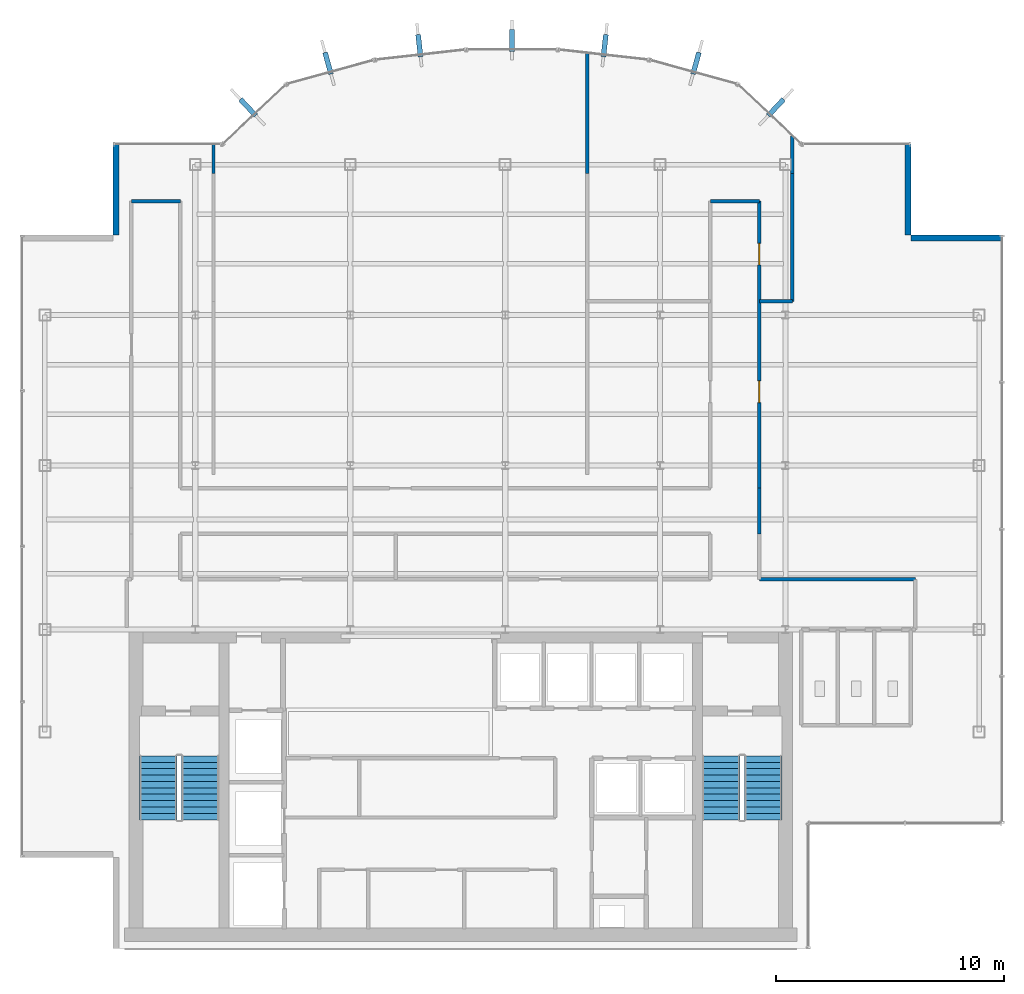
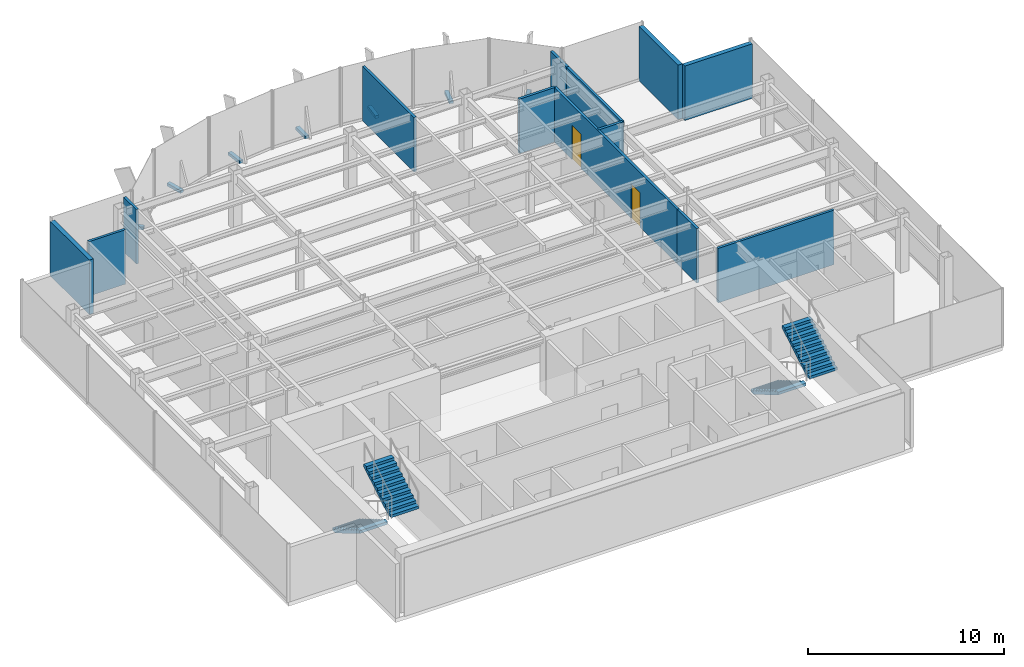
# One storey, part 19 of 22: 13 walls, 7 discrete accessories, 4 stair flights, 2 doors, 2 openings, 2 elements without a shape of their own.
"""IFC4 building model written with IfcOpenShell, lengths in metres."""

from ifc_helpers import new_model, si_unit, derived_unit, direction, frame, frame_2d, origin, origin_2d, place, context, subcontext, project, spatial, polyline, rectangle, outline, extrude, source, transform, mapped, material, layer, layer_set, type_object, element, fill, aggregate, save


model = new_model("IFC4")

# Units and contexts
model_context = context("Model", 3, precision=1e-05, world=origin(), true_north=direction((0.0, 1.0)))
body_context = subcontext(model_context, "Body", "Model", "MODEL_VIEW")
ifc_project = project(units=[si_unit("LENGTHUNIT", "METRE"), si_unit("AREAUNIT", "SQUARE_METRE"), si_unit("VOLUMEUNIT", "CUBIC_METRE"), si_unit("PLANEANGLEUNIT", "RADIAN"), si_unit("MASSUNIT", "GRAM", prefix="KILO"), derived_unit("THERMALTRANSMITTANCEUNIT", [(si_unit("POWERUNIT", "WATT"), 1), (si_unit("LENGTHUNIT", "METRE"), -2), (si_unit("THERMODYNAMICTEMPERATUREUNIT", "KELVIN"), -1)])], contexts=[model_context])

# Site, building, storey
site_placement = place(None, origin())
site = spatial("IfcSite", under=ifc_project, at=site_placement, CompositionType="ELEMENT")
building_placement = place(site_placement, origin())
building = spatial("IfcBuilding", under=site, at=building_placement, Name="Skarnbrae Concourse Arena and Tower", CompositionType="ELEMENT")
storey_placement = place(building_placement, frame((0.0, 0.0, 284.35009765625)))
storey = spatial("IfcBuildingStorey", under=building, at=storey_placement, Name="L74", CompositionType="ELEMENT", Elevation=284.35009765625)

# Walls
ifc_material_1 = material(Name="Precast concrete 40 MPa (C40/50)", Category="concrete")
ifc_layer_1 = layer(ifc_material_1, 0.25)
ifc_layer_set_1 = layer_set([ifc_layer_1], Name="Precast concrete 40 MPa (C40/50)")
wall_type_1 = type_object("IfcWallType", Name="WALL-EXT-SPANDREL-250", PredefinedType="STANDARD", material=ifc_layer_set_1)
shared_shape_1 = source(origin(), body_context, "Body", "SweptSolid", [
    extrude(rectangle(XDim=4.0, YDim=0.25, at=frame_2d((2.0, 0.0))), origin(), (0.0, 0.0, 1.0), 3.39990234375),
])
for number, where, z_axis, x_axis, name in (
    (1, (43.0, 31.175048828125, 0.0), (0.0, 0.0, 1.0), (-1.0, 0.0, 0.0), "L74 Notched corner insulated return wall 05"),
    (2, (38.875, 31.300048828125, 0.0), (0.0, 0.0, 1.0), (0.0, 1.0, 0.0), "L74 Notched corner insulated return wall 06"),
    (3, (4.125, 35.300048828125, 0.0), (0.0, 0.0, 1.0), (0.0, -1.0, 0.0), "L74 Notched corner insulated return wall 16"),
):
    element("IfcWall", number, at=place(storey_placement, frame(where, z_axis=z_axis, x_axis=x_axis)), inside=storey, type_object=wall_type_1, Name=name, PredefinedType="STANDARD", context=body_context, shape_type="MappedRepresentation", body=[
        mapped(shared_shape_1, transform((0.0, 0.0, 0.0))),
    ])
ifc_material_2 = material(Name="Gypsum board on cold-formed steel studs", Category="steel")
ifc_layer_2 = layer(ifc_material_2, 0.14990234375)
ifc_layer_set_2 = layer_set([ifc_layer_2], Name="Gypsum board on cold-formed steel studs")
wall_type_2 = type_object("IfcWallType", Name="WALL-PART-150", PredefinedType="PARTITIONING", material=ifc_layer_set_2)
shared_shape_2 = source(origin(), body_context, "Body", "SweptSolid", [
    extrude(rectangle(XDim=5.60009765625, YDim=0.14990234375, at=frame_2d((2.800048828125, 0.0))), origin(), (0.0, 0.0, 1.0), 3.39990234375),
])
wall_1_placement = place(storey_placement, frame((33.800048828125, 34.0, 0.0), z_axis=(0.0, 0.0, 1.0), x_axis=(0.0, -1.0, 0.0)))
element("IfcWall", 4, at=wall_1_placement, inside=storey, type_object=wall_type_2, Name="L74 Interior partition wall W-L74-DEM-30", PredefinedType="PARTITIONING", context=body_context, shape_type="MappedRepresentation", body=[
    mapped(shared_shape_2, transform((0.0, 0.0, 0.0))),
])
shared_shape_3 = source(origin(), body_context, "Body", "SweptSolid", [
    extrude(rectangle(XDim=1.449951171875, YDim=0.14990234375, at=frame_2d((0.72509765625, 0.0))), origin(), (0.0, 0.0, 1.0), 3.39990234375),
])
wall_2_placement = place(storey_placement, frame((33.800048828125, 28.39990234375, 0.0), z_axis=(0.0, 0.0, 1.0), x_axis=(-1.0, 0.0, 0.0)))
element("IfcWall", 5, at=wall_2_placement, inside=storey, type_object=wall_type_2, Name="L74 Interior partition wall W-L74-DEM-31", PredefinedType="PARTITIONING", context=body_context, shape_type="MappedRepresentation", body=[
    mapped(shared_shape_3, transform((0.0, 0.0, 0.0))),
])
ifc_layer_3 = layer(ifc_material_2, 0.14990234375)
ifc_layer_set_3 = layer_set([ifc_layer_3], Name="Gypsum board on cold-formed steel studs")
wall_type_3 = type_object("IfcWallType", Name="WALL-PART-150-1HR", PredefinedType="PARTITIONING", material=ifc_layer_set_3)
shared_shape_4 = source(origin(), body_context, "Body", "SweptSolid", [
    extrude(rectangle(XDim=2.0, YDim=0.14990234375, at=frame_2d((1.0, 0.0))), origin(), (0.0, 0.0, 1.0), 3.39990234375),
])
wall_3_placement = place(storey_placement, frame((32.35009765625, 20.199951171875, 0.0), z_axis=(0.0, 0.0, 1.0), x_axis=(0.0, -1.0, 0.0)))
element("IfcWall", 6, at=wall_3_placement, inside=storey, type_object=wall_type_3, Name="L74 Interior partition wall W-L74-COR-12", PredefinedType="PARTITIONING", context=body_context, shape_type="MappedRepresentation", body=[
    mapped(shared_shape_4, transform((0.0, 0.0, 0.0))),
])

# Wall, openings, doors
shared_shape_5 = source(origin(), body_context, "Body", "SweptSolid", [
    extrude(rectangle(XDim=12.60009765625, YDim=0.14990234375, at=frame_2d((6.300048828125, 0.0))), origin(), (0.0, 0.0, 1.0), 3.39990234375),
])
wall_4_placement = place(storey_placement, frame((32.35009765625, 32.800048828125, 0.0), z_axis=(0.0, 0.0, 1.0), x_axis=(0.0, -1.0, 0.0)))
wall_4 = element("IfcWall", 7, at=wall_4_placement, inside=storey, type_object=wall_type_3, Name="L74 Interior partition wall W-L74-COR-11", PredefinedType="PARTITIONING", context=body_context, shape_type="MappedRepresentation", body=[
    mapped(shared_shape_5, transform((0.0, 0.0, 0.0))),
])
opening_1_placement = place(wall_4_placement, frame((1.85498046875, 0.0, 0.0)))
opening_1 = element("IfcOpeningElement", 8, at=opening_1_placement, cuts=wall_4, Name="Opening DT-04", PredefinedType="OPENING", context=body_context, shape_type="SweptSolid", body=[
    extrude(rectangle(XDim=0.949951171875, YDim=2.14990234375, at=frame_2d((0.47509765625, 1.074951171875))), frame((0.0, 0.0849609375, 0.0), z_axis=(0.0, -1.0, 0.0), x_axis=(1.0, 0.0, 0.0)), (0.0, 0.0, 1.0), 0.169921875),
])
opening_2_placement = place(wall_4_placement, frame((7.89501953125, 0.0, 0.0)))
opening_2 = element("IfcOpeningElement", 9, at=opening_2_placement, cuts=wall_4, Name="Opening DT-04", PredefinedType="OPENING", context=body_context, shape_type="SweptSolid", body=[
    extrude(rectangle(XDim=0.949951171875, YDim=2.14990234375, at=frame_2d((0.47509765625, 1.074951171875))), frame((0.0, 0.0849609375, 0.0), z_axis=(0.0, -1.0, 0.0), x_axis=(1.0, 0.0, 0.0)), (0.0, 0.0, 1.0), 0.169921875),
])
ifc_material_3 = material(Name="Steel CSA G40.21 350W", Category="steel")
door_type = type_object("IfcDoorType", Name="DOOR-INT-950-45M", OperationType="NOTDEFINED", PredefinedType="DOOR", material=ifc_material_3)
shared_shape_6 = source(origin(), body_context, "Body", "SweptSolid", [
    extrude(rectangle(XDim=0.949951171875, YDim=2.14990234375, at=frame_2d((0.47509765625, 1.074951171875))), frame((0.0, 0.02490234375, 0.0), z_axis=(0.0, -1.0, 0.0), x_axis=(1.0, 0.0, 0.0)), (0.0, 0.0, 1.0), 0.050048828125),
])
door_1_placement = place(opening_1_placement, origin())
door_1 = element("IfcDoor", 10, at=door_1_placement, inside=storey, type_object=door_type, Name="D-2260 L74 Suite Door 06", OperationType="SINGLE_SWING_LEFT", OverallHeight=2.14990234375, OverallWidth=0.949951171875, PredefinedType="DOOR", context=body_context, shape_type="MappedRepresentation", body=[
    mapped(shared_shape_6, transform((0.0, 0.0, 0.0))),
])
fill(opening_1, door_1)
door_2_placement = place(opening_2_placement, origin())
door_2 = element("IfcDoor", 11, at=door_2_placement, inside=storey, type_object=door_type, Name="D-2261 L74 Suite Door 07", OperationType="SINGLE_SWING_RIGHT", OverallHeight=2.14990234375, OverallWidth=0.949951171875, PredefinedType="DOOR", context=body_context, shape_type="MappedRepresentation", body=[
    mapped(shared_shape_6, transform((0.0, 0.0, 0.0))),
])
fill(opening_2, door_2)

# Walls
shared_shape_7 = source(origin(), body_context, "Body", "SweptSolid", [
    extrude(rectangle(XDim=2.14990234375, YDim=0.14990234375, at=frame_2d((1.074951171875, 0.0))), origin(), (0.0, 0.0, 1.0), 3.39990234375),
])
wall_5_placement = place(storey_placement, frame((4.800048828125, 32.800048828125, 0.0), z_axis=(0.0, 0.0, 1.0), x_axis=(1.0, 0.0, 0.0)))
element("IfcWall", 12, at=wall_5_placement, inside=storey, type_object=wall_type_3, Name="L74 Interior partition wall W-L74-COR-06", PredefinedType="PARTITIONING", context=body_context, shape_type="MappedRepresentation", body=[
    mapped(shared_shape_7, transform((0.0, 0.0, 0.0))),
])
shared_shape_8 = source(origin(), body_context, "Body", "SweptSolid", [
    extrude(rectangle(XDim=2.150146484375, YDim=0.14990234375, at=frame_2d((1.0751953125, 0.0))), origin(), (0.0, 0.0, 1.0), 3.39990234375),
])
wall_6_placement = place(storey_placement, frame((30.199951171875, 32.800048828125, 0.0), z_axis=(0.0, 0.0, 1.0), x_axis=(1.0, 0.0, 0.0)))
element("IfcWall", 13, at=wall_6_placement, inside=storey, type_object=wall_type_3, Name="L74 Interior partition wall W-L74-COR-10", PredefinedType="PARTITIONING", context=body_context, shape_type="MappedRepresentation", body=[
    mapped(shared_shape_8, transform((0.0, 0.0, 0.0))),
])
shared_shape_9 = source(origin(), body_context, "Body", "SweptSolid", [
    extrude(rectangle(XDim=6.849853515625, YDim=0.14990234375, at=frame_2d((3.4248046875, 0.0))), origin(), (0.0, 0.0, 1.0), 3.39990234375),
])
wall_7_placement = place(storey_placement, frame((32.35009765625, 16.199951171875, 0.0), z_axis=(0.0, 0.0, 1.0), x_axis=(1.0, 0.0, 0.0)))
element("IfcWall", 14, at=wall_7_placement, inside=storey, type_object=wall_type_3, Name="L74 Interior partition wall W-L74-COR-14", PredefinedType="PARTITIONING", context=body_context, shape_type="MappedRepresentation", body=[
    mapped(shared_shape_9, transform((0.0, 0.0, 0.0))),
])
shared_shape_10 = source(origin(), body_context, "Body", "SweptSolid", [
    extrude(rectangle(XDim=1.280029296875, YDim=0.14990234375, at=frame_2d((0.64013671875, 0.0))), origin(), (0.0, 0.0, 1.0), 3.39990234375),
])
wall_8_placement = place(storey_placement, frame((8.39990234375, 35.280029296875, 0.0), z_axis=(0.0, 0.0, 1.0), x_axis=(0.0, -1.0, 0.0)))
element("IfcWall", 15, at=wall_8_placement, inside=storey, type_object=wall_type_2, Name="L74 Interior partition wall W-L74-DEM-21", PredefinedType="PARTITIONING", context=body_context, shape_type="MappedRepresentation", body=[
    mapped(shared_shape_10, transform((0.0, 0.0, 0.0))),
])
shared_shape_11 = source(origin(), body_context, "Body", "SweptSolid", [
    extrude(rectangle(XDim=5.28271484375, YDim=0.14990234375, at=frame_2d((2.641357421875, 0.0))), origin(), (0.0, 0.0, 1.0), 3.39990234375),
])
wall_9_placement = place(storey_placement, frame((24.800048828125, 39.28271484375, 0.0), z_axis=(0.0, 0.0, 1.0), x_axis=(0.0, -1.0, 0.0)))
element("IfcWall", 16, at=wall_9_placement, inside=storey, type_object=wall_type_2, Name="L74 Interior partition wall W-L74-DEM-27", PredefinedType="PARTITIONING", context=body_context, shape_type="MappedRepresentation", body=[
    mapped(shared_shape_11, transform((0.0, 0.0, 0.0))),
])
shared_shape_12 = source(origin(), body_context, "Body", "SweptSolid", [
    extrude(rectangle(XDim=1.649169921875, YDim=0.14990234375, at=frame_2d((0.82470703125, 0.0))), origin(), (0.0, 0.0, 1.0), 3.39990234375),
])
wall_10_placement = place(storey_placement, frame((33.800048828125, 35.649169921875, 0.0), z_axis=(0.0, 0.0, 1.0), x_axis=(0.0, -1.0, 0.0)))
element("IfcWall", 17, at=wall_10_placement, inside=storey, type_object=wall_type_2, Name="L74 Interior partition wall W-L74-DEM-29", PredefinedType="PARTITIONING", context=body_context, shape_type="MappedRepresentation", body=[
    mapped(shared_shape_12, transform((0.0, 0.0, 0.0))),
])

# Stair, stair flights
ifc_material_4 = material(Name="Concrete 40 MPa (C40/50)", Category="concrete")
stair_type = type_object("IfcStairType", Name="STAIR-DOGLEG-1650", PredefinedType="HALF_TURN_STAIR", material=ifc_material_4)
stair_1_placement = place(storey_placement, origin())
stair_1 = element("IfcStair", 18, at=stair_1_placement, inside=storey, type_object=stair_type, Name="L74 Protected Exit Stair ST-1", PredefinedType="HALF_TURN_STAIR")
stair_flight_type = type_object("IfcStairFlightType", Name="FLIGHT-STRAIGHT-1650", PredefinedType="STRAIGHT", material=ifc_material_4)
shared_shape_13 = source(origin(), body_context, "Body", "SweptSolid", [
    extrude(outline(polyline([(0.0, 0.0), (0.0, 0.166015625), (0.280029296875, 0.166015625), (0.280029296875, 0.331787109375), (0.56005859375, 0.331787109375), (0.56005859375, 0.497802734375), (0.840087890625, 0.497802734375), (0.840087890625, 0.66357421875), (1.1201171875, 0.66357421875), (1.1201171875, 0.82958984375), (1.39990234375, 0.82958984375), (1.39990234375, 0.995361328125), (1.679931640625, 0.995361328125), (1.679931640625, 1.161376953125), (1.9599609375, 1.161376953125), (1.9599609375, 1.327392578125), (2.239990234375, 1.327392578125), (2.239990234375, 1.4931640625), (2.52001953125, 1.4931640625), (2.52001953125, 1.6591796875), (2.800048828125, 1.6591796875), (2.800048828125, 1.824951171875), (2.800048828125, 1.48486328125), (0.2939453125, 0.0), (0.0, 0.0)])), frame((0.0, 0.824951171875, 0.0), z_axis=(0.0, -1.0, 0.0), x_axis=(1.0, 0.0, 0.0)), (0.0, 0.0, 1.0), 1.64990234375),
])
stair_flight_1_placement = place(storey_placement, frame((5.97509765625, 8.449951171875, 0.0), z_axis=(0.0, 0.0, 1.0), x_axis=(0.0, -1.0, 0.0)))
stair_flight_1 = element("IfcStairFlight", 19, at=stair_flight_1_placement, type_object=stair_flight_type, Name="ST-1 flight 1", NumberOfRisers=11, NumberOfTreads=10, PredefinedType="STRAIGHT", RiserHeight=0.165909091, TreadLength=0.28, context=body_context, shape_type="MappedRepresentation", body=[
    mapped(shared_shape_13, transform((0.0, 0.0, 0.0))),
])
stair_flight_2_placement = place(storey_placement, frame((7.824951171875, 5.64990234375, 1.824951171875), z_axis=(0.0, 0.0, 1.0), x_axis=(0.0, 1.0, 0.0)))
stair_flight_2 = element("IfcStairFlight", 20, at=stair_flight_2_placement, type_object=stair_flight_type, Name="ST-1 flight 2", NumberOfRisers=11, NumberOfTreads=10, PredefinedType="STRAIGHT", RiserHeight=0.165909091, TreadLength=0.28, context=body_context, shape_type="MappedRepresentation", body=[
    mapped(shared_shape_13, transform((0.0, 0.0, 0.0))),
])
aggregate(stair_1, [stair_flight_1, stair_flight_2])

stair_2_placement = place(storey_placement, origin())
stair_2 = element("IfcStair", 21, at=stair_2_placement, inside=storey, type_object=stair_type, Name="L74 Protected Exit Stair ST-2", PredefinedType="HALF_TURN_STAIR")
stair_flight_3_placement = place(storey_placement, frame((30.675048828125, 8.449951171875, 0.0), z_axis=(0.0, 0.0, 1.0), x_axis=(0.0, -1.0, 0.0)))
stair_flight_3 = element("IfcStairFlight", 22, at=stair_flight_3_placement, type_object=stair_flight_type, Name="ST-2 flight 1", NumberOfRisers=11, NumberOfTreads=10, PredefinedType="STRAIGHT", RiserHeight=0.165909091, TreadLength=0.28, context=body_context, shape_type="MappedRepresentation", body=[
    mapped(shared_shape_13, transform((0.0, 0.0, 0.0))),
])
stair_flight_4_placement = place(storey_placement, frame((32.52490234375, 5.64990234375, 1.824951171875), z_axis=(0.0, 0.0, 1.0), x_axis=(0.0, 1.0, 0.0)))
stair_flight_4 = element("IfcStairFlight", 23, at=stair_flight_4_placement, type_object=stair_flight_type, Name="ST-2 flight 2", NumberOfRisers=11, NumberOfTreads=10, PredefinedType="STRAIGHT", RiserHeight=0.165909091, TreadLength=0.28, context=body_context, shape_type="MappedRepresentation", body=[
    mapped(shared_shape_13, transform((0.0, 0.0, 0.0))),
])
aggregate(stair_2, [stair_flight_3, stair_flight_4])

# Discrete accessories
ifc_material_5 = material(Name="Bronze anodised aluminium 6063-T6", Category="aluminium")
discrete_accessory_type = type_object("IfcDiscreteAccessoryType", Name="ACC-FIN-BRACKET", PredefinedType="BRACKET", material=ifc_material_5)
shared_shape_14 = source(origin(), body_context, "Body", "SweptSolid", [
    extrude(rectangle(XDim=0.219970703125, YDim=0.97998046875, at=origin_2d()), origin(), (0.0, 0.0, 1.0), 0.179931640625),
])
for number, where, z_axis, x_axis, name in (
    (24, (33.0791015625, 36.904541015625, -0.0302734375), (0.0, 0.0, 1.0), (0.728131751529, -0.685437198009, 0.0), "L74 Bronze fin foot support bracket 08"),
    (25, (29.573974609375, 38.847412109375, -0.0302734375), (0.0, 0.0, 1.0), (0.964058316208, -0.265690728011, 0.0), "L74 Bronze fin foot support bracket 09"),
    (26, (25.566162109375, 39.619384765625, -0.0302734375), (0.0, 0.0, 1.0), (0.993769864509, -0.111451587667, 0.0), "L74 Bronze fin foot support bracket 10"),
    (27, (21.5, 39.8466796875, -0.0302734375), (0.0, 0.0, 1.0), (1.0, 0.0, 0.0), "L74 Bronze fin foot support bracket 11"),
    (28, (17.433837890625, 39.619384765625, -0.0302734375), (0.0, 0.0, 1.0), (0.993769864509, 0.111451587667, 0.0), "L74 Bronze fin foot support bracket 12"),
    (29, (13.426025390625, 38.847412109375, -0.0302734375), (0.0, 0.0, 1.0), (0.964058316208, 0.265690728011, 0.0), "L74 Bronze fin foot support bracket 13"),
    (30, (9.9208984375, 36.904541015625, -0.0302734375), (0.0, 0.0, 1.0), (0.728131751529, 0.685437198009, 0.0), "L74 Bronze fin foot support bracket 14"),
):
    element("IfcDiscreteAccessory", number, at=place(storey_placement, frame(where, z_axis=z_axis, x_axis=x_axis)), inside=storey, type_object=discrete_accessory_type, Name=name, PredefinedType="BRACKET", context=body_context, shape_type="MappedRepresentation", body=[
        mapped(shared_shape_14, transform((0.0, 0.0, 0.0))),
    ])

save(model, "model.ifc")
